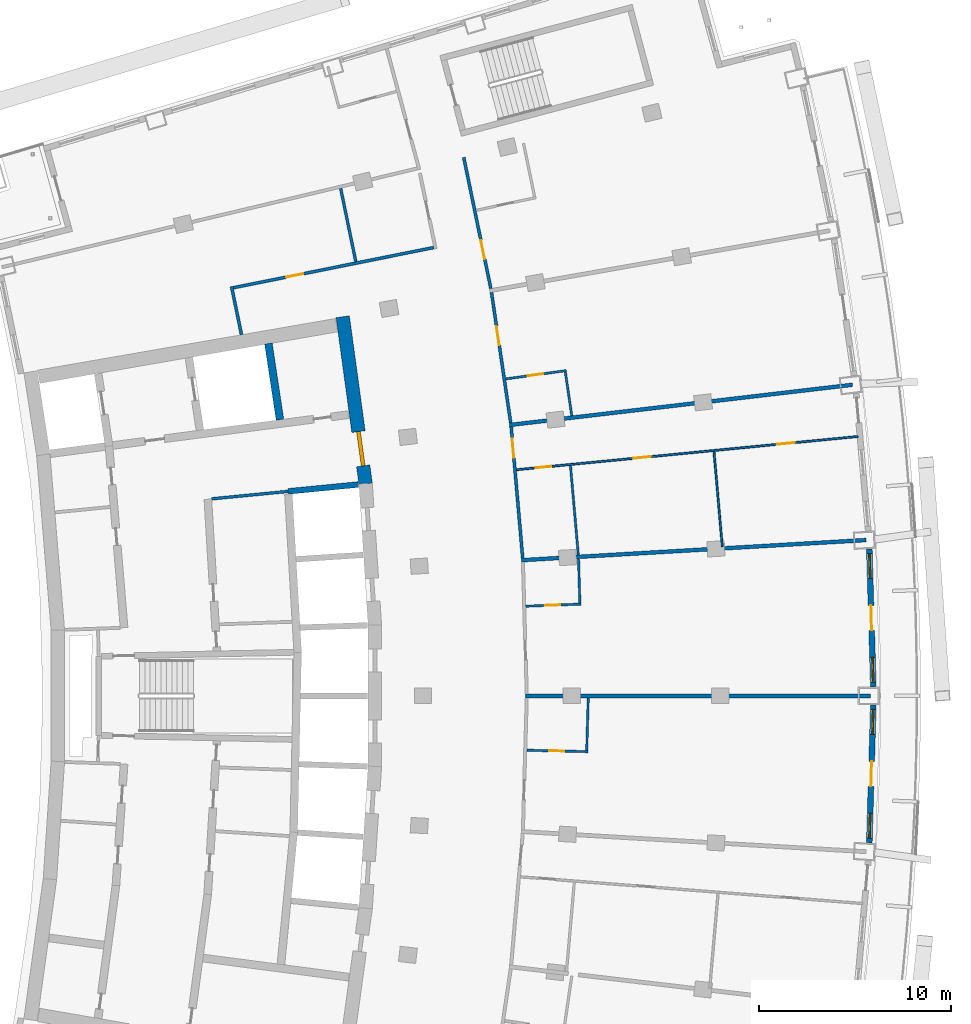
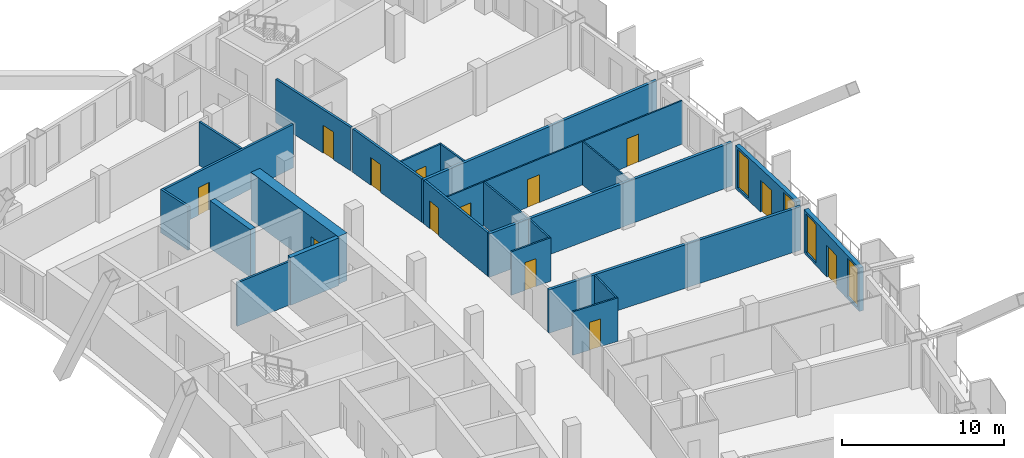
# One storey, part 14 of 19: 24 walls, 13 doors, 4 windows, 17 openings.
"""IFC4 building model written with IfcOpenShell, lengths in metres."""

import ifcopenshell
import ifcopenshell.guid

model = None  # the IFC model being written
_history = None  # IfcOwnerHistory: only IFC2X3 demands one
_inside = {}  # id of a spatial element -> (the spatial element, [elements in it])
_under = {}  # id of a project, library or spatial element -> (it, [spatial elements below it])
_declared = {}  # id of a project -> (the project, [libraries it declares])
_typed = {}  # id of a type object -> (the type object, [elements of that type])
_made_of = {}  # id of a material, layer set ... -> (it, [elements and type objects made of it])


def new_model(schema):
    """Start an empty IFC model of exactly this schema.

    Asked for "IFC4X3", IfcOpenShell would pick the latest addendum, in which some entities
    have other attributes; the version numbers below select the first issue.
    IFC2X3 requires an IfcOwnerHistory on every rooted entity: one is made here for all.
    """
    global model, _history
    if schema == "IFC4X3":
        model = ifcopenshell.file(schema_version=(4, 3, 0, 0))
    else:
        model = ifcopenshell.file(schema=schema)
    _inside.clear()
    _under.clear()
    _declared.clear()
    _typed.clear()
    _made_of.clear()
    _history = None
    if model.schema == "IFC2X3":
        org = make("IfcOrganization", Name="unknown")
        user = make(
            "IfcPersonAndOrganization",
            ThePerson=make("IfcPerson", FamilyName="unknown"),
            TheOrganization=org,
        )
        app = make(
            "IfcApplication",
            ApplicationDeveloper=org,
            Version="unknown",
            ApplicationFullName="unknown",
            ApplicationIdentifier="unknown",
        )
        _history = make(
            "IfcOwnerHistory",
            OwningUser=user,
            OwningApplication=app,
            ChangeAction="ADDED",
            CreationDate=0,
        )
    return model


def make(cls, **values):
    """One entity of the class cls with the attributes given. An attribute that is None is left unset."""
    return model.create_entity(
        cls, **{name: value for name, value in values.items() if value is not None}
    )


def rooted(cls, **values):
    """An entity with a GlobalId (a new one), such as an element, a storey or a relation."""
    return make(cls, GlobalId=ifcopenshell.guid.new(), OwnerHistory=_history, **values)


def si_unit(unit_type, name, prefix=None):
    """IfcSIUnit, for example si_unit("LENGTHUNIT", "METRE", prefix="MILLI")."""
    return make("IfcSIUnit", UnitType=unit_type, Prefix=prefix, Name=name)


def assignment(units):
    """IfcUnitAssignment: the units of a project."""
    return None if units is None else make("IfcUnitAssignment", Units=units)


def point(xyz):
    """IfcCartesianPoint."""
    return None if xyz is None else make("IfcCartesianPoint", Coordinates=xyz)


def direction(xyz):
    """IfcDirection."""
    return None if xyz is None else make("IfcDirection", DirectionRatios=xyz)


def frame(location, z_axis=None, x_axis=None):
    """IfcAxis2Placement3D, a coordinate frame: its origin and axes. An axis left out is left unset."""
    return make(
        "IfcAxis2Placement3D",
        Location=point(location),
        Axis=direction(z_axis),
        RefDirection=direction(x_axis),
    )


def frame_2d(location, x_axis=None):
    """IfcAxis2Placement2D, a coordinate frame in the plane: its origin and x axis."""
    return make(
        "IfcAxis2Placement2D", Location=point(location), RefDirection=direction(x_axis)
    )


def origin():
    """The frame at (0, 0, 0) with its axes left unset."""
    return frame((0.0, 0.0, 0.0))


def place(relative_to, where):
    """IfcLocalPlacement: puts the frame where relative to a parent placement (None: the world)."""
    return make(
        "IfcLocalPlacement", PlacementRelTo=relative_to, RelativePlacement=where
    )


def context(
    kind, dimensions, precision=None, world=None, true_north=None, identifier=None
):
    """IfcGeometricRepresentationContext, for example the 3D "Model" context."""
    return make(
        "IfcGeometricRepresentationContext",
        ContextIdentifier=identifier,
        ContextType=kind,
        CoordinateSpaceDimension=dimensions,
        Precision=precision,
        WorldCoordinateSystem=world,
        TrueNorth=true_north,
    )


def subcontext(parent, identifier, kind, view, scale=None):
    """IfcGeometricRepresentationSubContext, for example "Body" below "Model"."""
    return make(
        "IfcGeometricRepresentationSubContext",
        ContextIdentifier=identifier,
        ContextType=kind,
        ParentContext=parent,
        TargetScale=scale,
        TargetView=view,
    )


def project(units=None, contexts=None):
    """IfcProject with its units and contexts."""
    return rooted(
        "IfcProject",
        Name="project",
        RepresentationContexts=contexts,
        UnitsInContext=assignment(units),
    )


def spatial(cls, under=None, at=None, **own):
    """A site, building, storey or space (cls), placed at a placement, below another one or the project."""
    s = rooted(cls, ObjectPlacement=at, **own)
    if under is not None:
        _under.setdefault(under.id(), (under, []))[1].append(s)
    return s


def profile(cls, at=None, kind="AREA", **sizes):
    """A parametric profile (cls). Its sizes go by their IFC names, for example OverallWidth=200.0."""
    return make(cls, ProfileType=kind, Position=at, **sizes)


def rectangle(**sizes):
    """IfcRectangleProfileDef."""
    return profile("IfcRectangleProfileDef", **sizes)


def extrude(swept, where, along, depth):
    """IfcExtrudedAreaSolid: the profile swept, set in the frame where, extruded along a direction by depth."""
    return make(
        "IfcExtrudedAreaSolid",
        SweptArea=swept,
        Position=where,
        ExtrudedDirection=direction(along),
        Depth=depth,
    )


def shape(context_of_items, identifier, shape_type, items):
    """IfcShapeRepresentation: the items that make up one representation, for example the "Body"."""
    return make(
        "IfcShapeRepresentation",
        ContextOfItems=context_of_items,
        RepresentationIdentifier=identifier,
        RepresentationType=shape_type,
        Items=items,
    )


def material(Name=None, Category=None):
    """IfcMaterial."""
    return make("IfcMaterial", Name=Name, Category=Category)


def layer(
    of_material, thickness, ventilated=None, Name=None, Category=None, Priority=None
):
    """IfcMaterialLayer: one layer of a wall or slab, of a material (None: an air gap)."""
    return make(
        "IfcMaterialLayer",
        Material=of_material,
        LayerThickness=thickness,
        IsVentilated=ventilated,
        Name=Name,
        Category=Category,
        Priority=Priority,
    )


def layer_set(layers, Name=None):
    """IfcMaterialLayerSet."""
    return make("IfcMaterialLayerSet", MaterialLayers=layers, LayerSetName=Name)


def made_of(thing, what):
    """Note that an element or type object is made of a material, layer set ...; save() writes the relation."""
    if what is not None:
        _made_of.setdefault(what.id(), (what, []))[1].append(thing)
    return thing


def type_object(cls, material=None, **own):
    """A type object (cls), such as IfcWallType, which elements share."""
    return made_of(rooted(cls, **own), material)


def element(
    cls,
    number,
    at=None,
    inside=None,
    cuts=None,
    type_object=None,
    material=None,
    context=None,
    identifier="Body",
    shape_type=None,
    held_by="IfcProductDefinitionShape",
    body=None,
    shapes=None,
    **own,
):
    """One element of the class cls, such as IfcWall. Its Tag is "e" and its number.

    at: its placement. inside: the storey or other place that contains it. cuts: it is an
    opening in that element (IfcRelVoidsElement). A single representation is given by context,
    identifier, shape_type and body (its items); several are given by shapes. held_by: the class
    of the entity that holds the representations. save() writes the other relations.
    """
    e = rooted(cls, Tag="e%d" % number, ObjectPlacement=at, **own)
    if body is not None:
        shapes = [shape(context, identifier, shape_type, body)]
    if shapes is not None:
        e.Representation = make(held_by, Representations=shapes)
    if inside is not None:
        _inside.setdefault(inside.id(), (inside, []))[1].append(e)
    if cuts is not None:
        rooted(
            "IfcRelVoidsElement", RelatingBuildingElement=cuts, RelatedOpeningElement=e
        )
    if type_object is not None:
        _typed.setdefault(type_object.id(), (type_object, []))[1].append(e)
    return made_of(e, material)


def fill(opening, filler):
    """IfcRelFillsElement: the door or window that sits in an opening."""
    return rooted(
        "IfcRelFillsElement",
        RelatingOpeningElement=opening,
        RelatedBuildingElement=filler,
    )


def aggregate(whole, parts):
    """IfcRelAggregates: a whole, such as a stair, and the parts it consists of."""
    return rooted("IfcRelAggregates", RelatingObject=whole, RelatedObjects=parts)


def save(model, path):
    """Write the relations noted so far, then the file.

    IfcRelAggregates (storeys below a building ...), IfcRelContainedInSpatialStructure (elements
    in a storey), IfcRelDefinesByType, IfcRelAssociatesMaterial and IfcRelDeclares: one each for
    every whole, place, type object, material and project.
    """
    for whole, parts in _under.values():
        aggregate(whole, parts)
    for where, things in _inside.values():
        rooted(
            "IfcRelContainedInSpatialStructure",
            RelatedElements=things,
            RelatingStructure=where,
        )
    for kind, things in _typed.values():
        rooted("IfcRelDefinesByType", RelatedObjects=things, RelatingType=kind)
    for what, things in _made_of.values():
        rooted("IfcRelAssociatesMaterial", RelatedObjects=things, RelatingMaterial=what)
    for by, libraries in _declared.values():
        rooted("IfcRelDeclares", RelatingContext=by, RelatedDefinitions=libraries)
    model.write(path)


model = new_model("IFC4")

# Units and contexts
model_context = context("Model", 3, precision=1e-05, world=origin(), true_north=direction((0.0, 1.0)))
body_context = subcontext(model_context, "Body", "Model", "MODEL_VIEW")
ifc_project = project(units=[si_unit("LENGTHUNIT", "METRE"), si_unit("AREAUNIT", "SQUARE_METRE"), si_unit("VOLUMEUNIT", "CUBIC_METRE"), si_unit("PLANEANGLEUNIT", "RADIAN"), si_unit("MASSUNIT", "GRAM", prefix="KILO")], contexts=[model_context])

# Site, building, storey
site_placement = place(None, origin())
site = spatial("IfcSite", under=ifc_project, at=site_placement, CompositionType="ELEMENT")
building_placement = place(site_placement, origin())
building = spatial("IfcBuilding", under=site, at=building_placement, Name="Alderwake Tower", CompositionType="ELEMENT")
storey_placement = place(building_placement, frame((0.0, 0.0, 171.199951171875)))
storey = spatial("IfcBuildingStorey", under=building, at=storey_placement, Name="L42", CompositionType="ELEMENT", Elevation=171.199951171875)

# Wall
ifc_material_1 = material(Name="Gypsum shaft wall system, rated")
ifc_layer_1 = layer(ifc_material_1, 0.14990234375)
ifc_layer_set_1 = layer_set([ifc_layer_1], Name="Core room partition 150")
wall_type_1 = type_object("IfcWallType", Name="Core room partition 150", PredefinedType="PARTITIONING", material=ifc_layer_set_1)
wall_1_placement = place(storey_placement, frame((24.799560546875, 71.2548828125, 0.0), z_axis=(0.0, 0.0, 1.0), x_axis=(0.995250000627, 0.097352125046, 0.0)))
element("IfcWall", 1, at=wall_1_placement, inside=storey, type_object=wall_type_1, Name="CW/L42/PR+102_+86", PredefinedType="PARTITIONING", context=body_context, shape_type="SweptSolid", body=[
    extrude(rectangle(XDim=4.0, YDim=0.14990234375, at=frame_2d((2.0, 0.0))), origin(), (0.0, 0.0, 1.0), 3.280029296875),
])

# Wall, opening, door
ifc_material_2 = material(Name="Concrete C70/85", Category="concrete")
ifc_layer_2 = layer(ifc_material_2, 0.699951171875)
ifc_layer_set_2 = layer_set([ifc_layer_2], Name="Core wall outer 700 C70-85")
wall_type_2 = type_object("IfcWallType", Name="Core wall outer 700 C70-85", PredefinedType="SHEAR", material=ifc_layer_set_2)
wall_2_placement = place(storey_placement, frame((31.618896484375, 80.735107421875, 0.0), z_axis=(0.0, 0.0, 1.0), x_axis=(0.135835706655, -0.99073137671, 0.0)))
wall_2 = element("IfcWall", 2, at=wall_2_placement, inside=storey, type_object=wall_type_2, Name="Core wall CW.009", PredefinedType="SHEAR", context=body_context, shape_type="SweptSolid", body=[
    extrude(rectangle(XDim=8.790771484375, YDim=0.699951171875, at=frame_2d((4.3955078125, 0.0))), origin(), (0.0, 0.0, 1.0), 3.60009765625),
])
opening_1_placement = place(wall_2_placement, frame((6.035888671875, 0.0, 0.0)))
opening_1 = element("IfcOpeningElement", 3, at=opening_1_placement, cuts=wall_2, Name="Opening C001", PredefinedType="OPENING", context=body_context, shape_type="SweptSolid", body=[
    extrude(rectangle(XDim=1.800048828125, YDim=2.10009765625, at=frame_2d((0.89990234375, 1.050048828125))), frame((0.0, 0.35986328125, 0.0), z_axis=(0.0, -1.0, 0.0), x_axis=(1.0, 0.0, 0.0)), (0.0, 0.0, 1.0), 0.719970703125),
])
ifc_material_3 = material(Name="Steel-framed fire door leaves", Category="steel")
door_type_1 = type_object("IfcDoorType", Name="Core double door 1800 fire-rated", OperationType="DOUBLE_DOOR_SINGLE_SWING", PredefinedType="DOOR", material=ifc_material_3)
door_1_placement = place(opening_1_placement, origin())
door_1 = element("IfcDoor", 4, at=door_1_placement, inside=storey, type_object=door_type_1, Name="Lobby double door", OperationType="DOUBLE_DOOR_SINGLE_SWING", OverallHeight=2.10009765625, OverallWidth=1.800048828125, PredefinedType="DOOR", context=body_context, shape_type="SweptSolid", body=[
    extrude(rectangle(XDim=1.800048828125, YDim=2.10009765625, at=frame_2d((0.89990234375, 1.050048828125))), frame((0.0, 0.10009765625, 0.0), z_axis=(0.0, -1.0, 0.0), x_axis=(1.0, 0.0, 0.0)), (0.0, 0.0, 1.0), 0.199951171875),
])
fill(opening_1, door_1)

# Walls
ifc_material_4 = material(Name="Concrete C70/85", Category="concrete")
ifc_layer_3 = layer(ifc_material_4, 0.300048828125)
ifc_layer_set_3 = layer_set([ifc_layer_3], Name="Core wall shaft 300 C70-85")
wall_type_3 = type_object("IfcWallType", Name="Core wall shaft 300 C70-85", PredefinedType="SHEAR", material=ifc_layer_set_3)
wall_3_placement = place(storey_placement, frame((28.780517578125, 71.644287109375, 0.0), z_axis=(0.0, 0.0, 1.0), x_axis=(0.995245736737, 0.097395705788, 0.0)))
element("IfcWall", 5, at=wall_3_placement, inside=storey, type_object=wall_type_3, Name="Core wall CW.049", PredefinedType="SHEAR", context=body_context, shape_type="SweptSolid", body=[
    extrude(rectangle(XDim=3.669677734375, YDim=0.300048828125, at=frame_2d((1.8349609375, 0.0))), origin(), (0.0, 0.0, 1.0), 3.60009765625),
])
ifc_material_5 = material(Name="Concrete C70/85", Category="concrete")
ifc_layer_4 = layer(ifc_material_5, 0.39990234375)
ifc_layer_set_4 = layer_set([ifc_layer_4], Name="Core wall spine 400 C70-85")
wall_type_4 = type_object("IfcWallType", Name="Core wall spine 400 C70-85", PredefinedType="SHEAR", material=ifc_layer_set_4)
wall_4_placement = place(storey_placement, frame((28.350830078125, 75.373291015625, 0.0), z_axis=(0.0, 0.0, 1.0), x_axis=(-0.149688214264, 0.988733249421, 0.0)))
element("IfcWall", 6, at=wall_4_placement, inside=storey, type_object=wall_type_4, Name="Core wall CW.001", PredefinedType="SHEAR", context=body_context, shape_type="SweptSolid", body=[
    extrude(rectangle(XDim=4.01220703125, YDim=0.39990234375, at=frame_2d((2.006103515625, 0.0))), origin(), (0.0, 0.0, 1.0), 3.60009765625),
])
ifc_material_6 = material(Name="Gypsum board on metal studs, rated")
ifc_layer_5 = layer(ifc_material_6, 0.159912109375)
ifc_layer_set_5 = layer_set([ifc_layer_5], Name="Corridor wall 160")
wall_type_5 = type_object("IfcWallType", Name="Corridor wall 160", PredefinedType="PARTITIONING", material=ifc_layer_set_5)
wall_5_placement = place(storey_placement, frame((25.831787109375, 82.305419921875, 0.0), z_axis=(0.0, 0.0, 1.0), x_axis=(0.202450797205, -0.979292435747, 0.0)))
element("IfcWall", 7, at=wall_5_placement, inside=storey, type_object=wall_type_5, Name="WL/L42/W16", PredefinedType="PARTITIONING", context=body_context, shape_type="SweptSolid", body=[
    extrude(rectangle(XDim=2.555419921875, YDim=0.159912109375, at=frame_2d((1.27783203125, 0.0))), origin(), (0.0, 0.0, 1.0), 3.280029296875),
])

# Wall, opening, door
wall_6_placement = place(storey_placement, frame((25.926513671875, 82.24267578125, 0.0), z_axis=(0.0, 0.0, 1.0), x_axis=(0.98046310274, 0.196703086316, 0.0)))
wall_6 = element("IfcWall", 8, at=wall_6_placement, inside=storey, type_object=wall_type_5, Name="WL/L42/W24", PredefinedType="PARTITIONING", context=body_context, shape_type="SweptSolid", body=[
    extrude(rectangle(XDim=10.637939453125, YDim=0.159912109375, at=frame_2d((5.31884765625, 0.0))), origin(), (0.0, 0.0, 1.0), 3.280029296875),
])
opening_2_placement = place(wall_6_placement, frame((2.80908203125, 0.0, 0.0)))
opening_2 = element("IfcOpeningElement", 9, at=opening_2_placement, cuts=wall_6, Name="Opening R12-SBN1", PredefinedType="OPENING", context=body_context, shape_type="SweptSolid", body=[
    extrude(rectangle(XDim=0.89990234375, YDim=2.10009765625, at=frame_2d((0.449951171875, 1.050048828125))), frame((0.0, 0.08984375, 0.0), z_axis=(0.0, -1.0, 0.0), x_axis=(1.0, 0.0, 0.0)), (0.0, 0.0, 1.0), 0.179931640625),
])
ifc_material_7 = material(Name="Painted timber leaf", Category="wood")
door_type_2 = type_object("IfcDoorType", Name="Room door 900", OperationType="SINGLE_SWING_LEFT", PredefinedType="DOOR", material=ifc_material_7)
door_2_placement = place(opening_2_placement, origin())
door_2 = element("IfcDoor", 10, at=door_2_placement, inside=storey, type_object=door_type_2, Name="DR/L42/SBN1", OperationType="SINGLE_SWING_LEFT", OverallHeight=2.10009765625, OverallWidth=0.89990234375, PredefinedType="DOOR", context=body_context, shape_type="SweptSolid", body=[
    extrude(rectangle(XDim=0.89990234375, YDim=2.10009765625, at=frame_2d((0.449951171875, 1.050048828125))), frame((0.0, 0.02490234375, 0.0), z_axis=(0.0, -1.0, 0.0), x_axis=(1.0, 0.0, 0.0)), (0.0, 0.0, 1.0), 0.050048828125),
])
fill(opening_2, door_2)

wall_7_placement = place(storey_placement, frame((37.9169921875, 89.02490234375, 0.0), z_axis=(0.0, 0.0, 1.0), x_axis=(0.202416809878, -0.97929946139, 0.0)))
wall_7 = element("IfcWall", 11, at=wall_7_placement, inside=storey, type_object=wall_type_5, Name="WL/L42/W27", PredefinedType="PARTITIONING", context=body_context, shape_type="SweptSolid", body=[
    extrude(rectangle(XDim=6.97021484375, YDim=0.159912109375, at=frame_2d((3.485107421875, 0.0))), origin(), (0.0, 0.0, 1.0), 3.280029296875),
])
opening_3_placement = place(wall_7_placement, frame((4.3994140625, 0.0, 0.0)))
opening_3 = element("IfcOpeningElement", 12, at=opening_3_placement, cuts=wall_7, Name="Opening R12-U09.1", PredefinedType="OPENING", context=body_context, shape_type="SweptSolid", body=[
    extrude(rectangle(XDim=1.0, YDim=2.10009765625, at=frame_2d((0.5, 1.050048828125))), frame((0.0, 0.08984375, 0.0), z_axis=(0.0, -1.0, 0.0), x_axis=(1.0, 0.0, 0.0)), (0.0, 0.0, 1.0), 0.179931640625),
])
ifc_material_8 = material(Name="Solid timber leaf in steel frame", Category="steel")
door_type_3 = type_object("IfcDoorType", Name="Flat entrance door 1000 fire-rated", OperationType="SINGLE_SWING_LEFT", PredefinedType="DOOR", material=ifc_material_8)
door_3_placement = place(opening_3_placement, origin())
door_3 = element("IfcDoor", 13, at=door_3_placement, inside=storey, type_object=door_type_3, Name="DR/L42/U09.1", OperationType="SINGLE_SWING_LEFT", OverallHeight=2.10009765625, OverallWidth=1.0, PredefinedType="DOOR", context=body_context, shape_type="SweptSolid", body=[
    extrude(rectangle(XDim=1.0, YDim=2.10009765625, at=frame_2d((0.5, 1.050048828125))), frame((0.0, 0.02490234375, 0.0), z_axis=(0.0, -1.0, 0.0), x_axis=(1.0, 0.0, 0.0)), (0.0, 0.0, 1.0), 0.050048828125),
])
fill(opening_3, door_3)

wall_8_placement = place(storey_placement, frame((39.362548828125, 82.001953125, 0.0), z_axis=(0.0, 0.0, 1.0), x_axis=(0.145565626222, -0.98934859805, 0.0)))
wall_8 = element("IfcWall", 14, at=wall_8_placement, inside=storey, type_object=wall_type_5, Name="WL/L42/W29", PredefinedType="PARTITIONING", context=body_context, shape_type="SweptSolid", body=[
    extrude(rectangle(XDim=6.8681640625, YDim=0.159912109375, at=frame_2d((3.43408203125, 0.0))), origin(), (0.0, 0.0, 1.0), 3.280029296875),
])
opening_4_placement = place(wall_8_placement, frame((1.782470703125, 0.0, 0.0)))
opening_4 = element("IfcOpeningElement", 15, at=opening_4_placement, cuts=wall_8, Name="Opening R12-U08.1", PredefinedType="OPENING", context=body_context, shape_type="SweptSolid", body=[
    extrude(rectangle(XDim=1.0, YDim=2.10009765625, at=frame_2d((0.5, 1.050048828125))), frame((0.0, 0.08984375, 0.0), z_axis=(0.0, -1.0, 0.0), x_axis=(1.0, 0.0, 0.0)), (0.0, 0.0, 1.0), 0.179931640625),
])
door_4_placement = place(opening_4_placement, origin())
door_4 = element("IfcDoor", 16, at=door_4_placement, inside=storey, type_object=door_type_3, Name="DR/L42/U08.1", OperationType="SINGLE_SWING_LEFT", OverallHeight=2.10009765625, OverallWidth=1.0, PredefinedType="DOOR", context=body_context, shape_type="SweptSolid", body=[
    extrude(rectangle(XDim=1.0, YDim=2.10009765625, at=frame_2d((0.5, 1.050048828125))), frame((0.0, 0.02490234375, 0.0), z_axis=(0.0, -1.0, 0.0), x_axis=(1.0, 0.0, 0.0)), (0.0, 0.0, 1.0), 0.050048828125),
])
fill(opening_4, door_4)

wall_9_placement = place(storey_placement, frame((40.3857421875, 75.00830078125, 0.0), z_axis=(0.0, 0.0, 1.0), x_axis=(0.087448731147, -0.996169021512, 0.0)))
wall_9 = element("IfcWall", 17, at=wall_9_placement, inside=storey, type_object=wall_type_5, Name="WL/L42/W31", PredefinedType="PARTITIONING", context=body_context, shape_type="SweptSolid", body=[
    extrude(rectangle(XDim=6.867919921875, YDim=0.159912109375, at=frame_2d((3.43408203125, 0.0))), origin(), (0.0, 0.0, 1.0), 3.280029296875),
])
opening_5_placement = place(wall_9_placement, frame((0.628173828125, 0.0, 0.0)))
opening_5 = element("IfcOpeningElement", 18, at=opening_5_placement, cuts=wall_9, Name="Opening R12-U07.2", PredefinedType="OPENING", context=body_context, shape_type="SweptSolid", body=[
    extrude(rectangle(XDim=1.0, YDim=2.10009765625, at=frame_2d((0.5, 1.050048828125))), frame((0.0, 0.08984375, 0.0), z_axis=(0.0, -1.0, 0.0), x_axis=(1.0, 0.0, 0.0)), (0.0, 0.0, 1.0), 0.179931640625),
])
door_5_placement = place(opening_5_placement, origin())
door_5 = element("IfcDoor", 19, at=door_5_placement, inside=storey, type_object=door_type_3, Name="DR/L42/U07.2", OperationType="SINGLE_SWING_LEFT", OverallHeight=2.10009765625, OverallWidth=1.0, PredefinedType="DOOR", context=body_context, shape_type="SweptSolid", body=[
    extrude(rectangle(XDim=1.0, YDim=2.10009765625, at=frame_2d((0.5, 1.050048828125))), frame((0.0, 0.02490234375, 0.0), z_axis=(0.0, -1.0, 0.0), x_axis=(1.0, 0.0, 0.0)), (0.0, 0.0, 1.0), 0.050048828125),
])
fill(opening_5, door_5)

# Wall, openings, door, windows
ifc_material_9 = material(Name="Precast concrete C50/60 spandrel panel", Category="concrete")
ifc_layer_6 = layer(ifc_material_9, 0.300048828125)
ifc_layer_set_6 = layer_set([ifc_layer_6], Name="External wall EW1 Precast concrete C50/60 spandrel")
wall_type_6 = type_object("IfcWallType", Name="External wall EW1 Precast concrete C50/60 spandrel", PredefinedType="SOLIDWALL", material=ifc_layer_set_6)
wall_10_placement = place(storey_placement, frame((59.027099609375, 53.354736328125, 0.0), z_axis=(0.0, 0.0, 1.0), x_axis=(0.029125088946, 0.999575774613, 0.0)))
wall_10 = element("IfcWall", 20, at=wall_10_placement, inside=storey, type_object=wall_type_6, Name="External wall 15", PredefinedType="SOLIDWALL", context=body_context, shape_type="SweptSolid", body=[
    extrude(rectangle(XDim=7.17529296875, YDim=0.300048828125, at=frame_2d((3.587646484375, 0.0))), origin(), (0.0, 0.0, 1.0), 3.280029296875),
])
opening_6_placement = place(wall_10_placement, frame((0.2353515625, 0.0, 0.199951171875)))
opening_6 = element("IfcOpeningElement", 21, at=opening_6_placement, cuts=wall_10, Name="Opening W1", PredefinedType="OPENING", context=body_context, shape_type="SweptSolid", body=[
    extrude(rectangle(XDim=1.300048828125, YDim=2.89990234375, at=frame_2d((0.64990234375, 1.449951171875))), frame((0.0, 0.159912109375, 0.0), z_axis=(0.0, -1.0, 0.0), x_axis=(1.0, 0.0, 0.0)), (0.0, 0.0, 1.0), 0.320068359375),
])
opening_7_placement = place(wall_10_placement, frame((2.937744140625, 0.0, 0.0)))
opening_7 = element("IfcOpeningElement", 22, at=opening_7_placement, cuts=wall_10, Name="Opening D04", PredefinedType="OPENING", context=body_context, shape_type="SweptSolid", body=[
    extrude(rectangle(XDim=1.300048828125, YDim=2.39990234375, at=frame_2d((0.64990234375, 1.199951171875))), frame((0.0, 0.159912109375, 0.0), z_axis=(0.0, -1.0, 0.0), x_axis=(1.0, 0.0, 0.0)), (0.0, 0.0, 1.0), 0.320068359375),
])
opening_8_placement = place(wall_10_placement, frame((5.64013671875, 0.0, 0.199951171875)))
opening_8 = element("IfcOpeningElement", 23, at=opening_8_placement, cuts=wall_10, Name="Opening W1", PredefinedType="OPENING", context=body_context, shape_type="SweptSolid", body=[
    extrude(rectangle(XDim=1.300048828125, YDim=2.89990234375, at=frame_2d((0.64990234375, 1.449951171875))), frame((0.0, 0.159912109375, 0.0), z_axis=(0.0, -1.0, 0.0), x_axis=(1.0, 0.0, 0.0)), (0.0, 0.0, 1.0), 0.320068359375),
])
ifc_material_10 = material(Name="Bronze tinted glass in aluminium frame", Category="aluminium")
door_type_4 = type_object("IfcDoorType", Name="Balcony door BD sliding", OperationType="SLIDING_TO_LEFT", PredefinedType="DOOR", material=ifc_material_10)
door_6_placement = place(opening_7_placement, origin())
door_6 = element("IfcDoor", 24, at=door_6_placement, inside=storey, type_object=door_type_4, Name="Door D04", OperationType="SLIDING_TO_LEFT", OverallHeight=2.39990234375, OverallWidth=1.300048828125, PredefinedType="DOOR", context=body_context, shape_type="SweptSolid", body=[
    extrude(rectangle(XDim=1.300048828125, YDim=2.39990234375, at=frame_2d((0.64990234375, 1.199951171875))), frame((0.0, 0.02490234375, 0.0), z_axis=(0.0, -1.0, 0.0), x_axis=(1.0, 0.0, 0.0)), (0.0, 0.0, 1.0), 0.050048828125),
])
fill(opening_7, door_6)
ifc_material_11 = material(Name="Bronze tinted glass in aluminium frame", Category="aluminium")
window_type = type_object("IfcWindowType", Name="Window W1 tall fixed and vent", PartitioningType="DOUBLE_PANEL_VERTICAL", PredefinedType="WINDOW", material=ifc_material_11)
window_1_placement = place(opening_6_placement, origin())
window_1 = element("IfcWindow", 25, at=window_1_placement, inside=storey, type_object=window_type, Name="Window W1 tall fixed and vent", OverallHeight=2.89990234375, OverallWidth=1.300048828125, PartitioningType="DOUBLE_PANEL_VERTICAL", PredefinedType="WINDOW", context=body_context, shape_type="SweptSolid", body=[
    extrude(rectangle(XDim=1.300048828125, YDim=2.89990234375, at=frame_2d((0.64990234375, 1.449951171875))), frame((0.0, 0.030029296875, 0.0), z_axis=(0.0, -1.0, 0.0), x_axis=(1.0, 0.0, 0.0)), (0.0, 0.0, 1.0), 0.06005859375),
])
fill(opening_6, window_1)
window_2_placement = place(opening_8_placement, origin())
window_2 = element("IfcWindow", 26, at=window_2_placement, inside=storey, type_object=window_type, Name="Window W1 tall fixed and vent", OverallHeight=2.89990234375, OverallWidth=1.300048828125, PartitioningType="DOUBLE_PANEL_VERTICAL", PredefinedType="WINDOW", context=body_context, shape_type="SweptSolid", body=[
    extrude(rectangle(XDim=1.300048828125, YDim=2.89990234375, at=frame_2d((0.64990234375, 1.449951171875))), frame((0.0, 0.030029296875, 0.0), z_axis=(0.0, -1.0, 0.0), x_axis=(1.0, 0.0, 0.0)), (0.0, 0.0, 1.0), 0.06005859375),
])
fill(opening_8, window_2)

wall_11_placement = place(storey_placement, frame((59.236083984375, 61.472900390625, 0.0), z_axis=(0.0, 0.0, 1.0), x_axis=(-0.029125088946, 0.999575774613, 0.0)))
wall_11 = element("IfcWall", 27, at=wall_11_placement, inside=storey, type_object=wall_type_6, Name="External wall 16", PredefinedType="SOLIDWALL", context=body_context, shape_type="SweptSolid", body=[
    extrude(rectangle(XDim=7.17529296875, YDim=0.300048828125, at=frame_2d((3.587646484375, 0.0))), origin(), (0.0, 0.0, 1.0), 3.280029296875),
])
opening_9_placement = place(wall_11_placement, frame((0.2353515625, 0.0, 0.199951171875)))
opening_9 = element("IfcOpeningElement", 28, at=opening_9_placement, cuts=wall_11, Name="Opening W1", PredefinedType="OPENING", context=body_context, shape_type="SweptSolid", body=[
    extrude(rectangle(XDim=1.300048828125, YDim=2.89990234375, at=frame_2d((0.64990234375, 1.449951171875))), frame((0.0, 0.159912109375, 0.0), z_axis=(0.0, -1.0, 0.0), x_axis=(1.0, 0.0, 0.0)), (0.0, 0.0, 1.0), 0.320068359375),
])
opening_10_placement = place(wall_11_placement, frame((2.937744140625, 0.0, 0.0)))
opening_10 = element("IfcOpeningElement", 29, at=opening_10_placement, cuts=wall_11, Name="Opening D05", PredefinedType="OPENING", context=body_context, shape_type="SweptSolid", body=[
    extrude(rectangle(XDim=1.300048828125, YDim=2.39990234375, at=frame_2d((0.64990234375, 1.199951171875))), frame((0.0, 0.159912109375, 0.0), z_axis=(0.0, -1.0, 0.0), x_axis=(1.0, 0.0, 0.0)), (0.0, 0.0, 1.0), 0.320068359375),
])
opening_11_placement = place(wall_11_placement, frame((5.64013671875, 0.0, 0.199951171875)))
opening_11 = element("IfcOpeningElement", 30, at=opening_11_placement, cuts=wall_11, Name="Opening W1", PredefinedType="OPENING", context=body_context, shape_type="SweptSolid", body=[
    extrude(rectangle(XDim=1.300048828125, YDim=2.89990234375, at=frame_2d((0.64990234375, 1.449951171875))), frame((0.0, 0.159912109375, 0.0), z_axis=(0.0, -1.0, 0.0), x_axis=(1.0, 0.0, 0.0)), (0.0, 0.0, 1.0), 0.320068359375),
])
door_7_placement = place(opening_10_placement, origin())
door_7 = element("IfcDoor", 31, at=door_7_placement, inside=storey, type_object=door_type_4, Name="Door D05", OperationType="SLIDING_TO_LEFT", OverallHeight=2.39990234375, OverallWidth=1.300048828125, PredefinedType="DOOR", context=body_context, shape_type="SweptSolid", body=[
    extrude(rectangle(XDim=1.300048828125, YDim=2.39990234375, at=frame_2d((0.64990234375, 1.199951171875))), frame((0.0, 0.02490234375, 0.0), z_axis=(0.0, -1.0, 0.0), x_axis=(1.0, 0.0, 0.0)), (0.0, 0.0, 1.0), 0.050048828125),
])
fill(opening_10, door_7)
window_3_placement = place(opening_9_placement, origin())
window_3 = element("IfcWindow", 32, at=window_3_placement, inside=storey, type_object=window_type, Name="Window W1 tall fixed and vent", OverallHeight=2.89990234375, OverallWidth=1.300048828125, PartitioningType="DOUBLE_PANEL_VERTICAL", PredefinedType="WINDOW", context=body_context, shape_type="SweptSolid", body=[
    extrude(rectangle(XDim=1.300048828125, YDim=2.89990234375, at=frame_2d((0.64990234375, 1.449951171875))), frame((0.0, 0.030029296875, 0.0), z_axis=(0.0, -1.0, 0.0), x_axis=(1.0, 0.0, 0.0)), (0.0, 0.0, 1.0), 0.06005859375),
])
fill(opening_9, window_3)
window_4_placement = place(opening_11_placement, origin())
window_4 = element("IfcWindow", 33, at=window_4_placement, inside=storey, type_object=window_type, Name="Window W1 tall fixed and vent", OverallHeight=2.89990234375, OverallWidth=1.300048828125, PartitioningType="DOUBLE_PANEL_VERTICAL", PredefinedType="WINDOW", context=body_context, shape_type="SweptSolid", body=[
    extrude(rectangle(XDim=1.300048828125, YDim=2.89990234375, at=frame_2d((0.64990234375, 1.449951171875))), frame((0.0, 0.030029296875, 0.0), z_axis=(0.0, -1.0, 0.0), x_axis=(1.0, 0.0, 0.0)), (0.0, 0.0, 1.0), 0.06005859375),
])
fill(opening_11, window_4)

# Walls
ifc_material_12 = material(Name="Dense block masonry wall", Category="masonry")
ifc_layer_7 = layer(ifc_material_12, 0.199951171875)
ifc_layer_set_7 = layer_set([ifc_layer_7], Name="Party wall 200")
wall_type_7 = type_object("IfcWallType", Name="Party wall 200", PredefinedType="SOLIDWALL", material=ifc_layer_set_7)
wall_12_placement = place(storey_placement, frame((58.155029296875, 77.193115234375, 0.0), z_axis=(0.0, 0.0, 1.0), x_axis=(-0.993191787965, -0.116490653354, 0.0)))
element("IfcWall", 34, at=wall_12_placement, inside=storey, type_object=wall_type_7, Name="WL/L42/W05", PredefinedType="SOLIDWALL", context=body_context, shape_type="SweptSolid", body=[
    extrude(rectangle(XDim=17.979736328125, YDim=0.199951171875, at=frame_2d((8.98974609375, 0.0))), origin(), (0.0, 0.0, 1.0), 3.280029296875),
])
wall_13_placement = place(storey_placement, frame((58.863037109375, 69.111083984375, 0.0), z_axis=(0.0, 0.0, 1.0), x_axis=(-0.998296916023, -0.058337530453, 0.0)))
element("IfcWall", 35, at=wall_13_placement, inside=storey, type_object=wall_type_7, Name="WL/L42/W07", PredefinedType="SOLIDWALL", context=body_context, shape_type="SweptSolid", body=[
    extrude(rectangle(XDim=17.978515625, YDim=0.199951171875, at=frame_2d((8.9892578125, 0.0))), origin(), (0.0, 0.0, 1.0), 3.280029296875),
])
wall_14_placement = place(storey_placement, frame((59.10009765625, 60.9990234375, 0.0), z_axis=(0.0, 0.0, 1.0), x_axis=(-1.0, 0.0, 0.0)))
element("IfcWall", 36, at=wall_14_placement, inside=storey, type_object=wall_type_7, Name="WL/L42/W08", PredefinedType="SOLIDWALL", context=body_context, shape_type="SweptSolid", body=[
    extrude(rectangle(XDim=17.981201171875, YDim=0.199951171875, at=frame_2d((8.99072265625, 0.0))), origin(), (0.0, 0.0, 1.0), 3.280029296875),
])
ifc_material_13 = material(Name="Gypsum shaft wall system, rated")
ifc_layer_8 = layer(ifc_material_13, 0.14990234375)
ifc_layer_set_8 = layer_set([ifc_layer_8], Name="Riser and shaft wall 150")
wall_type_8 = type_object("IfcWallType", Name="Riser and shaft wall 150", PredefinedType="PARTITIONING", material=ifc_layer_set_8)
wall_15_placement = place(storey_placement, frame((32.2998046875, 83.601318359375, 0.0), z_axis=(0.0, 0.0, 1.0), x_axis=(-0.202493797034, 0.979283545334, 0.0)))
element("IfcWall", 37, at=wall_15_placement, inside=storey, type_object=wall_type_8, Name="WL/L42/W10", PredefinedType="PARTITIONING", context=body_context, shape_type="SweptSolid", body=[
    extrude(rectangle(XDim=3.899169921875, YDim=0.14990234375, at=frame_2d((1.94970703125, 0.0))), origin(), (0.0, 0.0, 1.0), 3.280029296875),
])

# Wall, openings, doors
ifc_material_14 = material(Name="Gypsum board on metal studs")
ifc_layer_9 = layer(ifc_material_14, 0.10009765625)
ifc_layer_set_9 = layer_set([ifc_layer_9], Name="Unit partition 100")
wall_type_9 = type_object("IfcWallType", Name="Unit partition 100", PredefinedType="PARTITIONING", material=ifc_layer_set_9)
wall_16_placement = place(storey_placement, frame((58.43994140625, 74.501953125, 0.0), z_axis=(0.0, 0.0, 1.0), x_axis=(-0.995287543156, -0.096967553536, 0.0)))
wall_16 = element("IfcWall", 38, at=wall_16_placement, inside=storey, type_object=wall_type_9, Name="WL/L42/W52", PredefinedType="PARTITIONING", context=body_context, shape_type="SweptSolid", body=[
    extrude(rectangle(XDim=17.863525390625, YDim=0.10009765625, at=frame_2d((8.931640625, 0.0))), origin(), (0.0, 0.0, 1.0), 3.280029296875),
])
opening_12_placement = place(wall_16_placement, frame((10.84130859375, 0.0, 0.0)))
opening_12 = element("IfcOpeningElement", 39, at=opening_12_placement, cuts=wall_16, Name="Opening R12-U07.1", PredefinedType="OPENING", context=body_context, shape_type="SweptSolid", body=[
    extrude(rectangle(XDim=0.89990234375, YDim=2.10009765625, at=frame_2d((0.449951171875, 1.050048828125))), frame((0.0, 0.06005859375, 0.0), z_axis=(0.0, -1.0, 0.0), x_axis=(1.0, 0.0, 0.0)), (0.0, 0.0, 1.0), 0.1201171875),
])
opening_13_placement = place(wall_16_placement, frame((16.0537109375, 0.0, 0.0)))
opening_13 = element("IfcOpeningElement", 40, at=opening_13_placement, cuts=wall_16, Name="Opening R12-U07.3", PredefinedType="OPENING", context=body_context, shape_type="SweptSolid", body=[
    extrude(rectangle(XDim=0.800048828125, YDim=2.10009765625, at=frame_2d((0.39990234375, 1.050048828125))), frame((0.0, 0.06005859375, 0.0), z_axis=(0.0, -1.0, 0.0), x_axis=(1.0, 0.0, 0.0)), (0.0, 0.0, 1.0), 0.1201171875),
])
opening_14_placement = place(wall_16_placement, frame((3.319580078125, 0.0, 0.0)))
opening_14 = element("IfcOpeningElement", 41, at=opening_14_placement, cuts=wall_16, Name="Opening R12-U07.4", PredefinedType="OPENING", context=body_context, shape_type="SweptSolid", body=[
    extrude(rectangle(XDim=0.89990234375, YDim=2.10009765625, at=frame_2d((0.449951171875, 1.050048828125))), frame((0.0, 0.06005859375, 0.0), z_axis=(0.0, -1.0, 0.0), x_axis=(1.0, 0.0, 0.0)), (0.0, 0.0, 1.0), 0.1201171875),
])
ifc_material_15 = material(Name="Painted timber leaf", Category="wood")
door_type_5 = type_object("IfcDoorType", Name="Bathroom door 800", OperationType="SINGLE_SWING_LEFT", PredefinedType="DOOR", material=ifc_material_15)
door_8_placement = place(opening_13_placement, origin())
door_8 = element("IfcDoor", 42, at=door_8_placement, inside=storey, type_object=door_type_5, Name="DR/L42/U07.3", OperationType="SINGLE_SWING_LEFT", OverallHeight=2.10009765625, OverallWidth=0.800048828125, PredefinedType="DOOR", context=body_context, shape_type="SweptSolid", body=[
    extrude(rectangle(XDim=0.800048828125, YDim=2.10009765625, at=frame_2d((0.39990234375, 1.050048828125))), frame((0.0, 0.02490234375, 0.0), z_axis=(0.0, -1.0, 0.0), x_axis=(1.0, 0.0, 0.0)), (0.0, 0.0, 1.0), 0.050048828125),
])
fill(opening_13, door_8)
door_9_placement = place(opening_12_placement, origin())
door_9 = element("IfcDoor", 43, at=door_9_placement, inside=storey, type_object=door_type_2, Name="DR/L42/U07.1", OperationType="SINGLE_SWING_LEFT", OverallHeight=2.10009765625, OverallWidth=0.89990234375, PredefinedType="DOOR", context=body_context, shape_type="SweptSolid", body=[
    extrude(rectangle(XDim=0.89990234375, YDim=2.10009765625, at=frame_2d((0.449951171875, 1.050048828125))), frame((0.0, 0.02490234375, 0.0), z_axis=(0.0, -1.0, 0.0), x_axis=(1.0, 0.0, 0.0)), (0.0, 0.0, 1.0), 0.050048828125),
])
fill(opening_12, door_9)
door_10_placement = place(opening_14_placement, origin())
door_10 = element("IfcDoor", 44, at=door_10_placement, inside=storey, type_object=door_type_2, Name="DR/L42/U07.4", OperationType="SINGLE_SWING_LEFT", OverallHeight=2.10009765625, OverallWidth=0.89990234375, PredefinedType="DOOR", context=body_context, shape_type="SweptSolid", body=[
    extrude(rectangle(XDim=0.89990234375, YDim=2.10009765625, at=frame_2d((0.449951171875, 1.050048828125))), frame((0.0, 0.02490234375, 0.0), z_axis=(0.0, -1.0, 0.0), x_axis=(1.0, 0.0, 0.0)), (0.0, 0.0, 1.0), 0.050048828125),
])
fill(opening_14, door_10)

# Wall
wall_17_placement = place(storey_placement, frame((51.375244140625, 68.772705078125, 0.0), z_axis=(0.0, 0.0, 1.0), x_axis=(-0.087352937881, 0.996177426086, 0.0)))
element("IfcWall", 45, at=wall_17_placement, inside=storey, type_object=wall_type_9, Name="WL/L42/W55", PredefinedType="PARTITIONING", context=body_context, shape_type="SweptSolid", body=[
    extrude(rectangle(XDim=4.966552734375, YDim=0.10009765625, at=frame_2d((2.4833984375, 0.0))), origin(), (0.0, 0.0, 1.0), 3.280029296875),
])

# Wall, opening, door
ifc_material_16 = material(Name="Moisture resistant gypsum board on metal studs")
ifc_layer_10 = layer(ifc_material_16, 0.1201171875)
ifc_layer_set_10 = layer_set([ifc_layer_10], Name="Wet room partition 120")
wall_type_10 = type_object("IfcWallType", Name="Wet room partition 120", PredefinedType="PARTITIONING", material=ifc_layer_set_10)
wall_18_placement = place(storey_placement, frame((41.143798828125, 65.6669921875, 0.0), z_axis=(0.0, 0.0, 1.0), x_axis=(0.99926579989, 0.038312676355, 0.0)))
wall_18 = element("IfcWall", 46, at=wall_18_placement, inside=storey, type_object=wall_type_10, Name="WL/L42/W42", PredefinedType="PARTITIONING", context=body_context, shape_type="SweptSolid", body=[
    extrude(rectangle(XDim=2.88037109375, YDim=0.1201171875, at=frame_2d((1.440185546875, 0.0))), origin(), (0.0, 0.0, 1.0), 3.280029296875),
])
opening_15_placement = place(wall_18_placement, frame((1.009521484375, 0.0, 0.0)))
opening_15 = element("IfcOpeningElement", 47, at=opening_15_placement, cuts=wall_18, Name="Opening R12-U06.2", PredefinedType="OPENING", context=body_context, shape_type="SweptSolid", body=[
    extrude(rectangle(XDim=0.800048828125, YDim=2.10009765625, at=frame_2d((0.39990234375, 1.050048828125))), frame((0.0, 0.070068359375, 0.0), z_axis=(0.0, -1.0, 0.0), x_axis=(1.0, 0.0, 0.0)), (0.0, 0.0, 1.0), 0.14013671875),
])
door_11_placement = place(opening_15_placement, origin())
door_11 = element("IfcDoor", 48, at=door_11_placement, inside=storey, type_object=door_type_5, Name="DR/L42/U06.2", OperationType="SINGLE_SWING_LEFT", OverallHeight=2.10009765625, OverallWidth=0.800048828125, PredefinedType="DOOR", context=body_context, shape_type="SweptSolid", body=[
    extrude(rectangle(XDim=0.800048828125, YDim=2.10009765625, at=frame_2d((0.39990234375, 1.050048828125))), frame((0.0, 0.02490234375, 0.0), z_axis=(0.0, -1.0, 0.0), x_axis=(1.0, 0.0, 0.0)), (0.0, 0.0, 1.0), 0.050048828125),
])
fill(opening_15, door_11)

wall_19_placement = place(storey_placement, frame((41.197998046875, 58.171142578125, 0.0), z_axis=(0.0, 0.0, 1.0), x_axis=(0.999725609485, -0.02342446884, 0.0)))
wall_19 = element("IfcWall", 49, at=wall_19_placement, inside=storey, type_object=wall_type_10, Name="WL/L42/W43", PredefinedType="PARTITIONING", context=body_context, shape_type="SweptSolid", body=[
    extrude(rectangle(XDim=3.178955078125, YDim=0.1201171875, at=frame_2d((1.58935546875, 0.0))), origin(), (0.0, 0.0, 1.0), 3.280029296875),
])
opening_16_placement = place(wall_19_placement, frame((1.1591796875, 0.0, 0.0)))
opening_16 = element("IfcOpeningElement", 50, at=opening_16_placement, cuts=wall_19, Name="Opening R12-U05.2", PredefinedType="OPENING", context=body_context, shape_type="SweptSolid", body=[
    extrude(rectangle(XDim=0.800048828125, YDim=2.10009765625, at=frame_2d((0.39990234375, 1.050048828125))), frame((0.0, 0.070068359375, 0.0), z_axis=(0.0, -1.0, 0.0), x_axis=(1.0, 0.0, 0.0)), (0.0, 0.0, 1.0), 0.14013671875),
])
door_12_placement = place(opening_16_placement, origin())
door_12 = element("IfcDoor", 51, at=door_12_placement, inside=storey, type_object=door_type_5, Name="DR/L42/U05.2", OperationType="SINGLE_SWING_LEFT", OverallHeight=2.10009765625, OverallWidth=0.800048828125, PredefinedType="DOOR", context=body_context, shape_type="SweptSolid", body=[
    extrude(rectangle(XDim=0.800048828125, YDim=2.10009765625, at=frame_2d((0.39990234375, 1.050048828125))), frame((0.0, 0.02490234375, 0.0), z_axis=(0.0, -1.0, 0.0), x_axis=(1.0, 0.0, 0.0)), (0.0, 0.0, 1.0), 0.050048828125),
])
fill(opening_16, door_12)

wall_20_placement = place(storey_placement, frame((43.25634765625, 77.93017578125, 0.0), z_axis=(0.0, 0.0, 1.0), x_axis=(-0.990717255946, -0.135938658114, 0.0)))
wall_20 = element("IfcWall", 52, at=wall_20_placement, inside=storey, type_object=wall_type_10, Name="WL/L42/W46", PredefinedType="PARTITIONING", context=body_context, shape_type="SweptSolid", body=[
    extrude(rectangle(XDim=3.1806640625, YDim=0.1201171875, at=frame_2d((1.59033203125, 0.0))), origin(), (0.0, 0.0, 1.0), 3.280029296875),
])
opening_17_placement = place(wall_20_placement, frame((1.220947265625, 0.0, 0.0)))
opening_17 = element("IfcOpeningElement", 53, at=opening_17_placement, cuts=wall_20, Name="Opening R12-U08.2", PredefinedType="OPENING", context=body_context, shape_type="SweptSolid", body=[
    extrude(rectangle(XDim=0.800048828125, YDim=2.10009765625, at=frame_2d((0.39990234375, 1.050048828125))), frame((0.0, 0.070068359375, 0.0), z_axis=(0.0, -1.0, 0.0), x_axis=(1.0, 0.0, 0.0)), (0.0, 0.0, 1.0), 0.14013671875),
])
door_13_placement = place(opening_17_placement, origin())
door_13 = element("IfcDoor", 54, at=door_13_placement, inside=storey, type_object=door_type_5, Name="DR/L42/U08.2", OperationType="SINGLE_SWING_LEFT", OverallHeight=2.10009765625, OverallWidth=0.800048828125, PredefinedType="DOOR", context=body_context, shape_type="SweptSolid", body=[
    extrude(rectangle(XDim=0.800048828125, YDim=2.10009765625, at=frame_2d((0.39990234375, 1.050048828125))), frame((0.0, 0.02490234375, 0.0), z_axis=(0.0, -1.0, 0.0), x_axis=(1.0, 0.0, 0.0)), (0.0, 0.0, 1.0), 0.050048828125),
])
fill(opening_17, door_13)

# Walls
wall_21_placement = place(storey_placement, frame((43.53955078125, 75.5791015625, 0.0), z_axis=(0.0, 0.0, 1.0), x_axis=(-0.144619815424, 0.989487296021, 0.0)))
element("IfcWall", 55, at=wall_21_placement, inside=storey, type_object=wall_type_10, Name="WL/L42/W48", PredefinedType="PARTITIONING", context=body_context, shape_type="SweptSolid", body=[
    extrude(rectangle(XDim=2.3076171875, YDim=0.1201171875, at=frame_2d((1.15380859375, 0.0))), origin(), (0.0, 0.0, 1.0), 3.280029296875),
])
wall_22_placement = place(storey_placement, frame((43.881103515625, 68.334716796875, 0.0), z_axis=(0.0, 0.0, 1.0), x_axis=(-0.087639255618, 0.996152277955, 0.0)))
element("IfcWall", 56, at=wall_22_placement, inside=storey, type_object=wall_type_10, Name="WL/L42/W49", PredefinedType="PARTITIONING", context=body_context, shape_type="SweptSolid", body=[
    extrude(rectangle(XDim=4.674560546875, YDim=0.1201171875, at=frame_2d((2.33740234375, 0.0))), origin(), (0.0, 0.0, 1.0), 3.280029296875),
])
wall_23_placement = place(storey_placement, frame((43.960205078125, 65.8349609375, 0.0), z_axis=(0.0, 0.0, 1.0), x_axis=(-0.029283689085, 0.999571140817, 0.0)))
element("IfcWall", 57, at=wall_23_placement, inside=storey, type_object=wall_type_10, Name="WL/L42/W50", PredefinedType="PARTITIONING", context=body_context, shape_type="SweptSolid", body=[
    extrude(rectangle(XDim=2.301025390625, YDim=0.1201171875, at=frame_2d((1.150390625, 0.0))), origin(), (0.0, 0.0, 1.0), 3.280029296875),
])
wall_24_placement = place(storey_placement, frame((44.317626953125, 58.157958984375, 0.0), z_axis=(0.0, 0.0, 1.0), x_axis=(0.029024908923, 0.999578688579, 0.0)))
element("IfcWall", 58, at=wall_24_placement, inside=storey, type_object=wall_type_10, Name="WL/L42/W51", PredefinedType="PARTITIONING", context=body_context, shape_type="SweptSolid", body=[
    extrude(rectangle(XDim=2.7421875, YDim=0.1201171875, at=frame_2d((1.37109375, 0.0))), origin(), (0.0, 0.0, 1.0), 3.280029296875),
])

save(model, "model.ifc")
